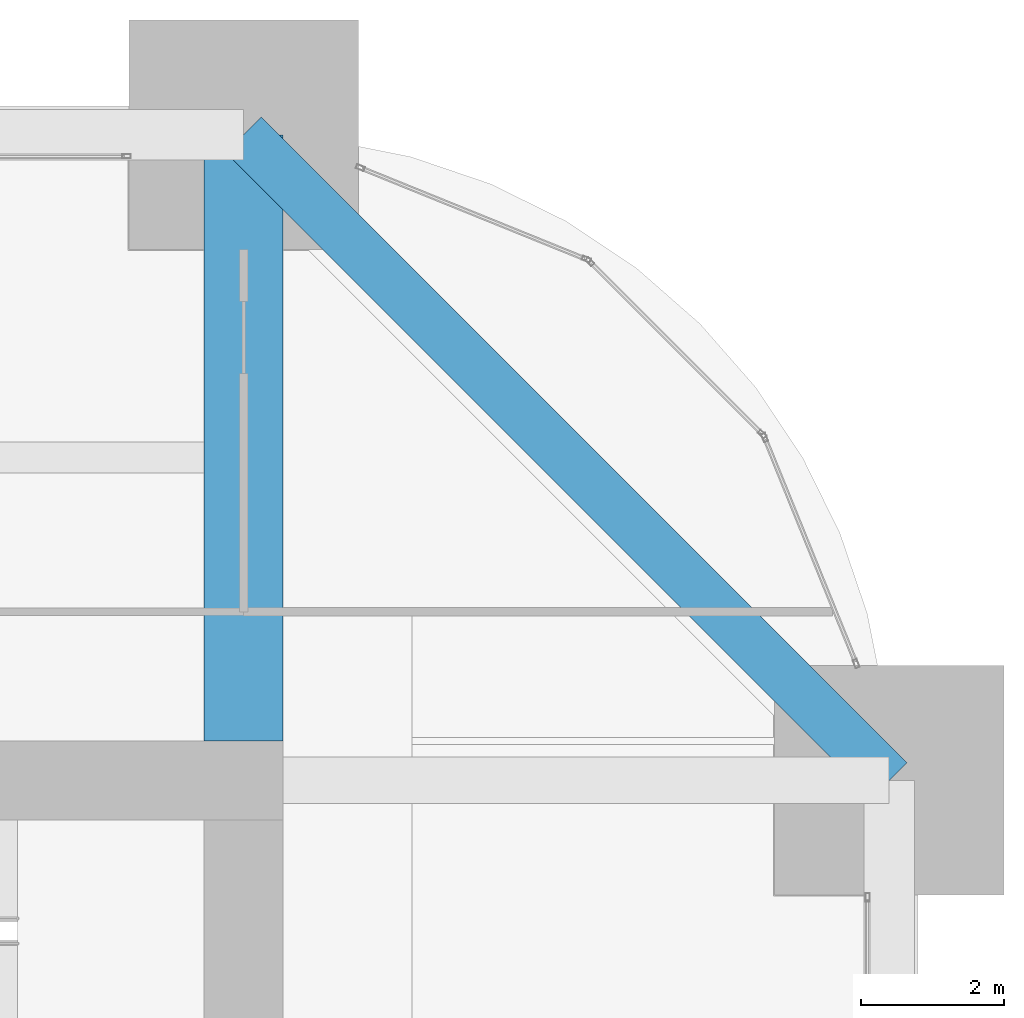
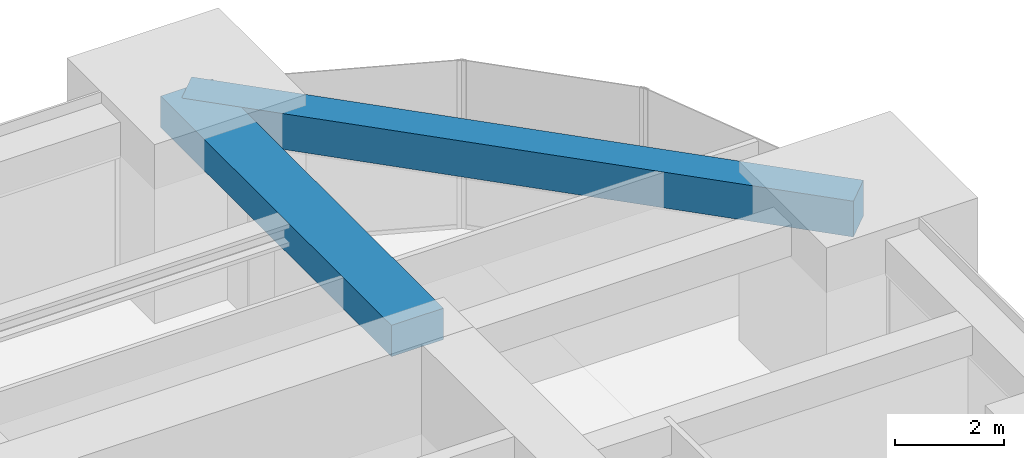
# One storey, part 32 of 40: 2 beams.
"""IFC4 building model written with IfcOpenShell, lengths in metres."""

import ifcopenshell
import ifcopenshell.guid

model = None  # the IFC model being written
_history = None  # IfcOwnerHistory: only IFC2X3 demands one
_inside = {}  # id of a spatial element -> (the spatial element, [elements in it])
_under = {}  # id of a project, library or spatial element -> (it, [spatial elements below it])
_declared = {}  # id of a project -> (the project, [libraries it declares])
_typed = {}  # id of a type object -> (the type object, [elements of that type])
_made_of = {}  # id of a material, layer set ... -> (it, [elements and type objects made of it])


def new_model(schema):
    """Start an empty IFC model of exactly this schema.

    Asked for "IFC4X3", IfcOpenShell would pick the latest addendum, in which some entities
    have other attributes; the version numbers below select the first issue.
    IFC2X3 requires an IfcOwnerHistory on every rooted entity: one is made here for all.
    """
    global model, _history
    if schema == "IFC4X3":
        model = ifcopenshell.file(schema_version=(4, 3, 0, 0))
    else:
        model = ifcopenshell.file(schema=schema)
    _inside.clear()
    _under.clear()
    _declared.clear()
    _typed.clear()
    _made_of.clear()
    _history = None
    if model.schema == "IFC2X3":
        org = make("IfcOrganization", Name="unknown")
        user = make(
            "IfcPersonAndOrganization",
            ThePerson=make("IfcPerson", FamilyName="unknown"),
            TheOrganization=org,
        )
        app = make(
            "IfcApplication",
            ApplicationDeveloper=org,
            Version="unknown",
            ApplicationFullName="unknown",
            ApplicationIdentifier="unknown",
        )
        _history = make(
            "IfcOwnerHistory",
            OwningUser=user,
            OwningApplication=app,
            ChangeAction="ADDED",
            CreationDate=0,
        )
    return model


def make(cls, **values):
    """One entity of the class cls with the attributes given. An attribute that is None is left unset."""
    return model.create_entity(
        cls, **{name: value for name, value in values.items() if value is not None}
    )


def rooted(cls, **values):
    """An entity with a GlobalId (a new one), such as an element, a storey or a relation."""
    return make(cls, GlobalId=ifcopenshell.guid.new(), OwnerHistory=_history, **values)


def si_unit(unit_type, name, prefix=None):
    """IfcSIUnit, for example si_unit("LENGTHUNIT", "METRE", prefix="MILLI")."""
    return make("IfcSIUnit", UnitType=unit_type, Prefix=prefix, Name=name)


def assignment(units):
    """IfcUnitAssignment: the units of a project."""
    return None if units is None else make("IfcUnitAssignment", Units=units)


def point(xyz):
    """IfcCartesianPoint."""
    return None if xyz is None else make("IfcCartesianPoint", Coordinates=xyz)


def direction(xyz):
    """IfcDirection."""
    return None if xyz is None else make("IfcDirection", DirectionRatios=xyz)


def frame(location, z_axis=None, x_axis=None):
    """IfcAxis2Placement3D, a coordinate frame: its origin and axes. An axis left out is left unset."""
    return make(
        "IfcAxis2Placement3D",
        Location=point(location),
        Axis=direction(z_axis),
        RefDirection=direction(x_axis),
    )


def frame_2d(location, x_axis=None):
    """IfcAxis2Placement2D, a coordinate frame in the plane: its origin and x axis."""
    return make(
        "IfcAxis2Placement2D", Location=point(location), RefDirection=direction(x_axis)
    )


def origin():
    """The frame at (0, 0, 0) with its axes left unset."""
    return frame((0.0, 0.0, 0.0))


def origin_2d():
    """The frame at (0, 0) in the plane with its x axis left unset."""
    return frame_2d((0.0, 0.0))


def place(relative_to, where):
    """IfcLocalPlacement: puts the frame where relative to a parent placement (None: the world)."""
    return make(
        "IfcLocalPlacement", PlacementRelTo=relative_to, RelativePlacement=where
    )


def context(
    kind, dimensions, precision=None, world=None, true_north=None, identifier=None
):
    """IfcGeometricRepresentationContext, for example the 3D "Model" context."""
    return make(
        "IfcGeometricRepresentationContext",
        ContextIdentifier=identifier,
        ContextType=kind,
        CoordinateSpaceDimension=dimensions,
        Precision=precision,
        WorldCoordinateSystem=world,
        TrueNorth=true_north,
    )


def subcontext(parent, identifier, kind, view, scale=None):
    """IfcGeometricRepresentationSubContext, for example "Body" below "Model"."""
    return make(
        "IfcGeometricRepresentationSubContext",
        ContextIdentifier=identifier,
        ContextType=kind,
        ParentContext=parent,
        TargetScale=scale,
        TargetView=view,
    )


def project(units=None, contexts=None):
    """IfcProject with its units and contexts."""
    return rooted(
        "IfcProject",
        Name="project",
        RepresentationContexts=contexts,
        UnitsInContext=assignment(units),
    )


def spatial(cls, under=None, at=None, **own):
    """A site, building, storey or space (cls), placed at a placement, below another one or the project."""
    s = rooted(cls, ObjectPlacement=at, **own)
    if under is not None:
        _under.setdefault(under.id(), (under, []))[1].append(s)
    return s


def profile(cls, at=None, kind="AREA", **sizes):
    """A parametric profile (cls). Its sizes go by their IFC names, for example OverallWidth=200.0."""
    return make(cls, ProfileType=kind, Position=at, **sizes)


def rectangle(**sizes):
    """IfcRectangleProfileDef."""
    return profile("IfcRectangleProfileDef", **sizes)


def extrude(swept, where, along, depth):
    """IfcExtrudedAreaSolid: the profile swept, set in the frame where, extruded along a direction by depth."""
    return make(
        "IfcExtrudedAreaSolid",
        SweptArea=swept,
        Position=where,
        ExtrudedDirection=direction(along),
        Depth=depth,
    )


def shape(context_of_items, identifier, shape_type, items):
    """IfcShapeRepresentation: the items that make up one representation, for example the "Body"."""
    return make(
        "IfcShapeRepresentation",
        ContextOfItems=context_of_items,
        RepresentationIdentifier=identifier,
        RepresentationType=shape_type,
        Items=items,
    )


def material(Name=None, Category=None):
    """IfcMaterial."""
    return make("IfcMaterial", Name=Name, Category=Category)


def material_profile(
    of_material, cross_section, Name=None, Category=None, Priority=None
):
    """IfcMaterialProfile: a cross section and its material."""
    return make(
        "IfcMaterialProfile",
        Name=Name,
        Material=of_material,
        Profile=cross_section,
        Priority=Priority,
        Category=Category,
    )


def profile_set(profiles, Name=None, composite=None):
    """IfcMaterialProfileSet."""
    return make(
        "IfcMaterialProfileSet",
        Name=Name,
        MaterialProfiles=profiles,
        CompositeProfile=composite,
    )


def made_of(thing, what):
    """Note that an element or type object is made of a material, layer set ...; save() writes the relation."""
    if what is not None:
        _made_of.setdefault(what.id(), (what, []))[1].append(thing)
    return thing


def type_object(cls, material=None, **own):
    """A type object (cls), such as IfcWallType, which elements share."""
    return made_of(rooted(cls, **own), material)


def element(
    cls,
    number,
    at=None,
    inside=None,
    cuts=None,
    type_object=None,
    material=None,
    context=None,
    identifier="Body",
    shape_type=None,
    held_by="IfcProductDefinitionShape",
    body=None,
    shapes=None,
    **own,
):
    """One element of the class cls, such as IfcWall. Its Tag is "e" and its number.

    at: its placement. inside: the storey or other place that contains it. cuts: it is an
    opening in that element (IfcRelVoidsElement). A single representation is given by context,
    identifier, shape_type and body (its items); several are given by shapes. held_by: the class
    of the entity that holds the representations. save() writes the other relations.
    """
    e = rooted(cls, Tag="e%d" % number, ObjectPlacement=at, **own)
    if body is not None:
        shapes = [shape(context, identifier, shape_type, body)]
    if shapes is not None:
        e.Representation = make(held_by, Representations=shapes)
    if inside is not None:
        _inside.setdefault(inside.id(), (inside, []))[1].append(e)
    if cuts is not None:
        rooted(
            "IfcRelVoidsElement", RelatingBuildingElement=cuts, RelatedOpeningElement=e
        )
    if type_object is not None:
        _typed.setdefault(type_object.id(), (type_object, []))[1].append(e)
    return made_of(e, material)


def aggregate(whole, parts):
    """IfcRelAggregates: a whole, such as a stair, and the parts it consists of."""
    return rooted("IfcRelAggregates", RelatingObject=whole, RelatedObjects=parts)


def save(model, path):
    """Write the relations noted so far, then the file.

    IfcRelAggregates (storeys below a building ...), IfcRelContainedInSpatialStructure (elements
    in a storey), IfcRelDefinesByType, IfcRelAssociatesMaterial and IfcRelDeclares: one each for
    every whole, place, type object, material and project.
    """
    for whole, parts in _under.values():
        aggregate(whole, parts)
    for where, things in _inside.values():
        rooted(
            "IfcRelContainedInSpatialStructure",
            RelatedElements=things,
            RelatingStructure=where,
        )
    for kind, things in _typed.values():
        rooted("IfcRelDefinesByType", RelatedObjects=things, RelatingType=kind)
    for what, things in _made_of.values():
        rooted("IfcRelAssociatesMaterial", RelatedObjects=things, RelatingMaterial=what)
    for by, libraries in _declared.values():
        rooted("IfcRelDeclares", RelatingContext=by, RelatedDefinitions=libraries)
    model.write(path)


model = new_model("IFC4")

# Units and contexts
model_context = context("Model", 3, precision=1e-05, world=origin(), true_north=direction((0.0, 1.0)))
body_context = subcontext(model_context, "Body", "Model", "MODEL_VIEW")
ifc_project = project(units=[si_unit("LENGTHUNIT", "METRE"), si_unit("AREAUNIT", "SQUARE_METRE"), si_unit("VOLUMEUNIT", "CUBIC_METRE"), si_unit("PLANEANGLEUNIT", "RADIAN"), si_unit("MASSUNIT", "GRAM", prefix="KILO")], contexts=[model_context])

# Site, building, storey
site_placement = place(None, origin())
site = spatial("IfcSite", under=ifc_project, at=site_placement, CompositionType="ELEMENT")
building_placement = place(site_placement, origin())
building = spatial("IfcBuilding", under=site, at=building_placement, Name="Zorevar Civic Tower", CompositionType="ELEMENT")
storey_placement = place(building_placement, frame((0.0, 0.0, 239.39990234375)))
storey = spatial("IfcBuildingStorey", under=building, at=storey_placement, Name="L58", CompositionType="ELEMENT", Elevation=239.39990234375)

# Beams
ifc_material_1 = material(Name="Concrete C50/60", Category="concrete")
ifc_material_profile_1 = material_profile(ifc_material_1, rectangle(XDim=1.10009765625, YDim=0.699951171875, at=origin_2d()), Name="RC 1100x700")
ifc_profile_set_1 = profile_set([ifc_material_profile_1], Name="Concrete C50/60")
beam_type_1 = type_object("IfcBeamType", Name="Beam RC 1100x700", PredefinedType="BEAM", material=ifc_profile_set_1)
beam_1_placement = place(storey_placement, frame((45.0, 36.550048828125, 3.400146484375), z_axis=(0.0, 1.0, 0.0), x_axis=(-1.0, 0.0, 0.0)))
element("IfcBeam", 1, at=beam_1_placement, inside=storey, type_object=beam_type_1, Name="Girder L59", PredefinedType="BEAM", context=body_context, shape_type="SweptSolid", body=[
    extrude(rectangle(XDim=1.10009765625, YDim=0.699951171875, at=origin_2d()), origin(), (0.0, 0.0, 1.0), 8.449951171875),
])
ifc_material_2 = material(Name="Concrete C50/60", Category="concrete")
ifc_material_profile_2 = material_profile(ifc_material_2, rectangle(XDim=0.699951171875, YDim=0.800048828125, at=origin_2d()), Name="RC 700x800")
ifc_profile_set_2 = profile_set([ifc_material_profile_2], Name="Concrete C50/60")
beam_type_2 = type_object("IfcBeamType", Name="Edge beam RC 700x800", PredefinedType="SPANDREL", material=ifc_profile_set_2)
beam_2_placement = place(storey_placement, frame((54.0, 36.0, 3.35009765625), z_axis=(-0.707106781187, 0.707106781187, 0.0), x_axis=(-0.707106781187, -0.707106781187, 0.0)))
element("IfcBeam", 2, at=beam_2_placement, inside=storey, type_object=beam_type_2, Name="Corner edge beam L59", PredefinedType="SPANDREL", context=body_context, shape_type="SweptSolid", body=[
    extrude(rectangle(XDim=0.699951171875, YDim=0.800048828125, at=origin_2d()), origin(), (0.0, 0.0, 1.0), 12.72802734375),
])

save(model, "model.ifc")
